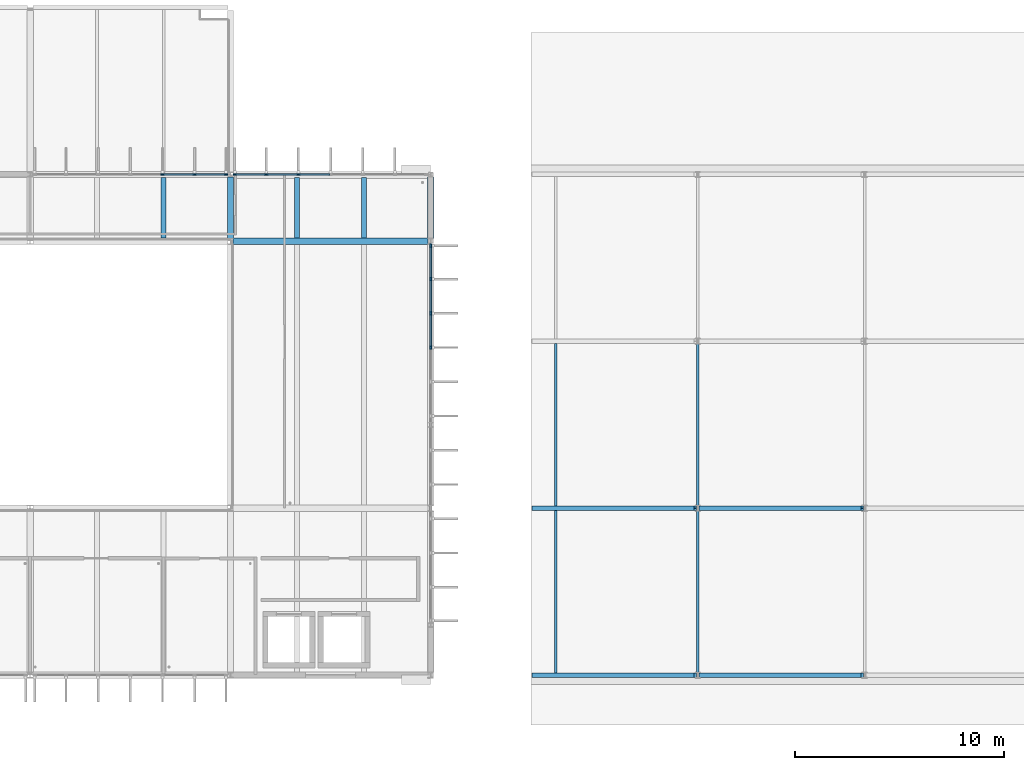
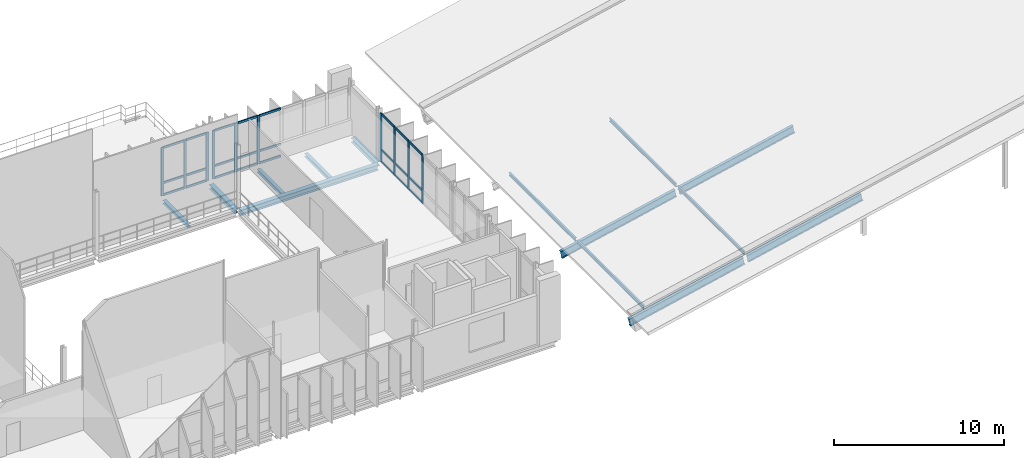
# One storey, part 16 of 41: 42 members, 6 beams, 3 elements without a shape of their own.
"""IFC4 building model written with IfcOpenShell, lengths in metres."""

from ifc_helpers import new_model, si_unit, direction, frame, origin, origin_2d, place, context, subcontext, project, spatial, rectangle, i_section, extrude, material, material_profile, profile_set, type_object, element, aggregate, save


model = new_model("IFC4")

# Units and contexts
model_context = context("Model", 3, precision=1e-05, world=origin(), true_north=direction((0.0, 1.0)))
body_context = subcontext(model_context, "Body", "Model", "MODEL_VIEW")
ifc_project = project(units=[si_unit("LENGTHUNIT", "METRE"), si_unit("AREAUNIT", "SQUARE_METRE"), si_unit("VOLUMEUNIT", "CUBIC_METRE"), si_unit("PLANEANGLEUNIT", "RADIAN"), si_unit("MASSUNIT", "GRAM", prefix="KILO")], contexts=[model_context])

# Site, building, storey
site_placement = place(None, origin())
site = spatial("IfcSite", under=ifc_project, at=site_placement, CompositionType="ELEMENT")
building_placement = place(site_placement, origin())
building = spatial("IfcBuilding", under=site, at=building_placement, Name="Dunescarp Central Library", CompositionType="ELEMENT")
storey_placement = place(building_placement, frame((0.0, 0.0, 23.10009765625)))
storey = spatial("IfcBuildingStorey", under=building, at=storey_placement, Name="L05", CompositionType="ELEMENT", Elevation=23.10009765625)

# Curtain wall, members
ifc_material_1 = material(Name="Marine-grade anodised aluminium 6063-T6", Category="aluminium")
curtain_wall_type = type_object("IfcCurtainWallType", Name="ARC-CW-STICK", PredefinedType="NOTDEFINED", material=ifc_material_1)
curtain_wall_1_placement = place(storey_placement, origin())
curtain_wall_1 = element("IfcCurtainWall", 1, at=curtain_wall_1_placement, inside=storey, type_object=curtain_wall_type, Name="L05 curtain wall CW-V2-078", PredefinedType="NOTDEFINED")
ifc_material_profile_1 = material_profile(ifc_material_1, rectangle(XDim=0.080078125, YDim=0.179931640625, at=origin_2d()), Name="AL 80x180")
ifc_profile_set_1 = profile_set([ifc_material_profile_1], Name="Marine-grade anodised aluminium 6063-T6")
member_type_1 = type_object("IfcMemberType", Name="ARC-CWM-180", PredefinedType="MULLION", material=ifc_profile_set_1)
member_1_placement = place(storey_placement, frame((63.941650390625, 28.800048828125, 0.0), z_axis=(0.0, 0.0, 1.0), x_axis=(0.0, 1.0, 0.0)))
member_1 = element("IfcMember", 2, at=member_1_placement, type_object=member_type_1, Name="CW-V2-078 mullion 5", PredefinedType="MULLION", context=body_context, shape_type="SweptSolid", body=[
    extrude(rectangle(XDim=0.080078125, YDim=0.179931640625, at=origin_2d()), origin(), (0.0, 0.0, 1.0), 3.4658203125),
])
member_2_placement = place(storey_placement, frame((65.4833984375, 28.800048828125, 0.0), z_axis=(0.0, 0.0, 1.0), x_axis=(0.0, 1.0, 0.0)))
member_2 = element("IfcMember", 3, at=member_2_placement, type_object=member_type_1, Name="CW-V2-078 mullion 6", PredefinedType="MULLION", context=body_context, shape_type="SweptSolid", body=[
    extrude(rectangle(XDim=0.080078125, YDim=0.179931640625, at=origin_2d()), origin(), (0.0, 0.0, 1.0), 3.4658203125),
])
member_3_placement = place(storey_placement, frame((66.985107421875, 28.800048828125, 0.0), z_axis=(0.0, 0.0, 1.0), x_axis=(0.0, 1.0, 0.0)))
member_3 = element("IfcMember", 4, at=member_3_placement, type_object=member_type_1, Name="CW-V2-078 mullion 7", PredefinedType="MULLION", context=body_context, shape_type="SweptSolid", body=[
    extrude(rectangle(XDim=0.080078125, YDim=0.179931640625, at=origin_2d()), origin(), (0.0, 0.0, 1.0), 3.4658203125),
])

curtain_wall_2_placement = place(storey_placement, origin())
curtain_wall_2 = element("IfcCurtainWall", 5, at=curtain_wall_2_placement, inside=storey, type_object=curtain_wall_type, Name="L05 curtain wall CW-V2-079", PredefinedType="NOTDEFINED")
member_4_placement = place(storey_placement, frame((67.4150390625, 28.800048828125, 0.0), z_axis=(0.0, 0.0, 1.0), x_axis=(0.0, 1.0, 0.0)))
member_4 = element("IfcMember", 6, at=member_4_placement, type_object=member_type_1, Name="CW-V2-079 mullion 1", PredefinedType="MULLION", context=body_context, shape_type="SweptSolid", body=[
    extrude(rectangle(XDim=0.080078125, YDim=0.179931640625, at=origin_2d()), origin(), (0.0, 0.0, 1.0), 3.4658203125),
])
member_5_placement = place(storey_placement, frame((68.916748046875, 28.800048828125, 0.0), z_axis=(0.0, 0.0, 1.0), x_axis=(0.0, 1.0, 0.0)))
member_5 = element("IfcMember", 7, at=member_5_placement, type_object=member_type_1, Name="CW-V2-079 mullion 2", PredefinedType="MULLION", context=body_context, shape_type="SweptSolid", body=[
    extrude(rectangle(XDim=0.080078125, YDim=0.179931640625, at=origin_2d()), origin(), (0.0, 0.0, 1.0), 3.4658203125),
])
member_6_placement = place(storey_placement, frame((70.458251953125, 28.800048828125, 0.0), z_axis=(0.0, 0.0, 1.0), x_axis=(0.0, 1.0, 0.0)))
member_6 = element("IfcMember", 8, at=member_6_placement, type_object=member_type_1, Name="CW-V2-079 mullion 3", PredefinedType="MULLION", context=body_context, shape_type="SweptSolid", body=[
    extrude(rectangle(XDim=0.080078125, YDim=0.179931640625, at=origin_2d()), origin(), (0.0, 0.0, 1.0), 3.4658203125),
])

curtain_wall_3_placement = place(storey_placement, origin())
curtain_wall_3 = element("IfcCurtainWall", 9, at=curtain_wall_3_placement, inside=storey, type_object=curtain_wall_type, Name="L05 curtain wall CW-V2-080", PredefinedType="NOTDEFINED")
member_7_placement = place(storey_placement, frame((76.800048828125, 25.385009765625, 0.0), z_axis=(0.0, 0.0, 1.0), x_axis=(1.0, 0.0, 0.0)))
member_7 = element("IfcMember", 10, at=member_7_placement, type_object=member_type_1, Name="CW-V2-080 mullion 1", PredefinedType="MULLION", context=body_context, shape_type="SweptSolid", body=[
    extrude(rectangle(XDim=0.080078125, YDim=0.179931640625, at=origin_2d()), origin(), (0.0, 0.0, 1.0), 3.472900390625),
])
member_8_placement = place(storey_placement, frame((76.800048828125, 23.7841796875, 0.0), z_axis=(0.0, 0.0, 1.0), x_axis=(1.0, 0.0, 0.0)))
member_8 = element("IfcMember", 11, at=member_8_placement, type_object=member_type_1, Name="CW-V2-080 mullion 2", PredefinedType="MULLION", context=body_context, shape_type="SweptSolid", body=[
    extrude(rectangle(XDim=0.080078125, YDim=0.179931640625, at=origin_2d()), origin(), (0.0, 0.0, 1.0), 3.472900390625),
])
member_9_placement = place(storey_placement, frame((76.800048828125, 22.14306640625, 0.0), z_axis=(0.0, 0.0, 1.0), x_axis=(1.0, 0.0, 0.0)))
member_9 = element("IfcMember", 12, at=member_9_placement, type_object=member_type_1, Name="CW-V2-080 mullion 3", PredefinedType="MULLION", context=body_context, shape_type="SweptSolid", body=[
    extrude(rectangle(XDim=0.080078125, YDim=0.179931640625, at=origin_2d()), origin(), (0.0, 0.0, 1.0), 3.472900390625),
])
member_10_placement = place(storey_placement, frame((76.800048828125, 20.502197265625, 0.0), z_axis=(0.0, 0.0, 1.0), x_axis=(1.0, 0.0, 0.0)))
member_10 = element("IfcMember", 13, at=member_10_placement, type_object=member_type_1, Name="CW-V2-080 mullion 4", PredefinedType="MULLION", context=body_context, shape_type="SweptSolid", body=[
    extrude(rectangle(XDim=0.080078125, YDim=0.179931640625, at=origin_2d()), origin(), (0.0, 0.0, 1.0), 3.472900390625),
])

# Member
ifc_material_profile_2 = material_profile(ifc_material_1, rectangle(XDim=0.080078125, YDim=0.14990234375, at=origin_2d()), Name="AL 80x150")
ifc_profile_set_2 = profile_set([ifc_material_profile_2], Name="Marine-grade anodised aluminium 6063-T6")
member_type_2 = type_object("IfcMemberType", Name="ARC-CWT-150", PredefinedType="USERDEFINED", material=ifc_profile_set_2)
member_11_placement = place(storey_placement, frame((63.981689453125, 28.800048828125, 0.039794921875), z_axis=(1.0, 0.0, 0.0), x_axis=(0.0, 1.0, 0.0)))
member_11 = element("IfcMember", 14, at=member_11_placement, type_object=member_type_2, Name="CW-V2-078 transom 5.1", ObjectType="TRANSOM", PredefinedType="USERDEFINED", context=body_context, shape_type="SweptSolid", body=[
    extrude(rectangle(XDim=0.080078125, YDim=0.14990234375, at=origin_2d()), origin(), (0.0, 0.0, 1.0), 1.461669921875),
])

member_12_placement = place(storey_placement, frame((63.981689453125, 28.800048828125, 0.89990234375), z_axis=(1.0, 0.0, 0.0), x_axis=(0.0, 1.0, 0.0)))
member_12 = element("IfcMember", 15, at=member_12_placement, type_object=member_type_2, Name="CW-V2-078 transom 5.2", ObjectType="TRANSOM", PredefinedType="USERDEFINED", context=body_context, shape_type="SweptSolid", body=[
    extrude(rectangle(XDim=0.080078125, YDim=0.14990234375, at=origin_2d()), origin(), (0.0, 0.0, 1.0), 1.461669921875),
])

member_13_placement = place(storey_placement, frame((63.981689453125, 28.800048828125, 3.42578125), z_axis=(1.0, 0.0, 0.0), x_axis=(0.0, 1.0, 0.0)))
member_13 = element("IfcMember", 16, at=member_13_placement, type_object=member_type_2, Name="CW-V2-078 transom 5.3", ObjectType="TRANSOM", PredefinedType="USERDEFINED", context=body_context, shape_type="SweptSolid", body=[
    extrude(rectangle(XDim=0.080078125, YDim=0.14990234375, at=origin_2d()), origin(), (0.0, 0.0, 1.0), 1.461669921875),
])

member_14_placement = place(storey_placement, frame((65.5234375, 28.800048828125, 0.039794921875), z_axis=(1.0, 0.0, 0.0), x_axis=(0.0, 1.0, 0.0)))
member_14 = element("IfcMember", 17, at=member_14_placement, type_object=member_type_2, Name="CW-V2-078 transom 6.1", ObjectType="TRANSOM", PredefinedType="USERDEFINED", context=body_context, shape_type="SweptSolid", body=[
    extrude(rectangle(XDim=0.080078125, YDim=0.14990234375, at=origin_2d()), origin(), (0.0, 0.0, 1.0), 1.421630859375),
])

member_15_placement = place(storey_placement, frame((65.5234375, 28.800048828125, 0.89990234375), z_axis=(1.0, 0.0, 0.0), x_axis=(0.0, 1.0, 0.0)))
member_15 = element("IfcMember", 18, at=member_15_placement, type_object=member_type_2, Name="CW-V2-078 transom 6.2", ObjectType="TRANSOM", PredefinedType="USERDEFINED", context=body_context, shape_type="SweptSolid", body=[
    extrude(rectangle(XDim=0.080078125, YDim=0.14990234375, at=origin_2d()), origin(), (0.0, 0.0, 1.0), 1.421630859375),
])

member_16_placement = place(storey_placement, frame((65.5234375, 28.800048828125, 3.42578125), z_axis=(1.0, 0.0, 0.0), x_axis=(0.0, 1.0, 0.0)))
member_16 = element("IfcMember", 19, at=member_16_placement, type_object=member_type_2, Name="CW-V2-078 transom 6.3", ObjectType="TRANSOM", PredefinedType="USERDEFINED", context=body_context, shape_type="SweptSolid", body=[
    extrude(rectangle(XDim=0.080078125, YDim=0.14990234375, at=origin_2d()), origin(), (0.0, 0.0, 1.0), 1.421630859375),
])

aggregate(curtain_wall_1, [member_1, member_2, member_3, member_11, member_12, member_13, member_14, member_15, member_16])

member_17_placement = place(storey_placement, frame((67.455078125, 28.800048828125, 0.039794921875), z_axis=(1.0, 0.0, 0.0), x_axis=(0.0, 1.0, 0.0)))
member_17 = element("IfcMember", 20, at=member_17_placement, type_object=member_type_2, Name="CW-V2-079 transom 1.1", ObjectType="TRANSOM", PredefinedType="USERDEFINED", context=body_context, shape_type="SweptSolid", body=[
    extrude(rectangle(XDim=0.080078125, YDim=0.14990234375, at=origin_2d()), origin(), (0.0, 0.0, 1.0), 1.421630859375),
])

member_18_placement = place(storey_placement, frame((67.455078125, 28.800048828125, 0.89990234375), z_axis=(1.0, 0.0, 0.0), x_axis=(0.0, 1.0, 0.0)))
member_18 = element("IfcMember", 21, at=member_18_placement, type_object=member_type_2, Name="CW-V2-079 transom 1.2", ObjectType="TRANSOM", PredefinedType="USERDEFINED", context=body_context, shape_type="SweptSolid", body=[
    extrude(rectangle(XDim=0.080078125, YDim=0.14990234375, at=origin_2d()), origin(), (0.0, 0.0, 1.0), 1.421630859375),
])

member_19_placement = place(storey_placement, frame((67.455078125, 28.800048828125, 3.42578125), z_axis=(1.0, 0.0, 0.0), x_axis=(0.0, 1.0, 0.0)))
member_19 = element("IfcMember", 22, at=member_19_placement, type_object=member_type_2, Name="CW-V2-079 transom 1.3", ObjectType="TRANSOM", PredefinedType="USERDEFINED", context=body_context, shape_type="SweptSolid", body=[
    extrude(rectangle(XDim=0.080078125, YDim=0.14990234375, at=origin_2d()), origin(), (0.0, 0.0, 1.0), 1.421630859375),
])

member_20_placement = place(storey_placement, frame((68.956787109375, 28.800048828125, 0.039794921875), z_axis=(1.0, 0.0, 0.0), x_axis=(0.0, 1.0, 0.0)))
member_20 = element("IfcMember", 23, at=member_20_placement, type_object=member_type_2, Name="CW-V2-079 transom 2.1", ObjectType="TRANSOM", PredefinedType="USERDEFINED", context=body_context, shape_type="SweptSolid", body=[
    extrude(rectangle(XDim=0.080078125, YDim=0.14990234375, at=origin_2d()), origin(), (0.0, 0.0, 1.0), 1.46142578125),
])

member_21_placement = place(storey_placement, frame((68.956787109375, 28.800048828125, 0.89990234375), z_axis=(1.0, 0.0, 0.0), x_axis=(0.0, 1.0, 0.0)))
member_21 = element("IfcMember", 24, at=member_21_placement, type_object=member_type_2, Name="CW-V2-079 transom 2.2", ObjectType="TRANSOM", PredefinedType="USERDEFINED", context=body_context, shape_type="SweptSolid", body=[
    extrude(rectangle(XDim=0.080078125, YDim=0.14990234375, at=origin_2d()), origin(), (0.0, 0.0, 1.0), 1.46142578125),
])

member_22_placement = place(storey_placement, frame((68.956787109375, 28.800048828125, 3.42578125), z_axis=(1.0, 0.0, 0.0), x_axis=(0.0, 1.0, 0.0)))
member_22 = element("IfcMember", 25, at=member_22_placement, type_object=member_type_2, Name="CW-V2-079 transom 2.3", ObjectType="TRANSOM", PredefinedType="USERDEFINED", context=body_context, shape_type="SweptSolid", body=[
    extrude(rectangle(XDim=0.080078125, YDim=0.14990234375, at=origin_2d()), origin(), (0.0, 0.0, 1.0), 1.46142578125),
])

member_23_placement = place(storey_placement, frame((70.498291015625, 28.800048828125, 0.039794921875), z_axis=(1.0, 0.0, 0.0), x_axis=(0.0, 1.0, 0.0)))
member_23 = element("IfcMember", 26, at=member_23_placement, type_object=member_type_2, Name="CW-V2-079 transom 3.1", ObjectType="TRANSOM", PredefinedType="USERDEFINED", context=body_context, shape_type="SweptSolid", body=[
    extrude(rectangle(XDim=0.080078125, YDim=0.14990234375, at=origin_2d()), origin(), (0.0, 0.0, 1.0), 1.461669921875),
])

member_24_placement = place(storey_placement, frame((70.498291015625, 28.800048828125, 0.89990234375), z_axis=(1.0, 0.0, 0.0), x_axis=(0.0, 1.0, 0.0)))
member_24 = element("IfcMember", 27, at=member_24_placement, type_object=member_type_2, Name="CW-V2-079 transom 3.2", ObjectType="TRANSOM", PredefinedType="USERDEFINED", context=body_context, shape_type="SweptSolid", body=[
    extrude(rectangle(XDim=0.080078125, YDim=0.14990234375, at=origin_2d()), origin(), (0.0, 0.0, 1.0), 1.461669921875),
])

member_25_placement = place(storey_placement, frame((70.498291015625, 28.800048828125, 3.42578125), z_axis=(1.0, 0.0, 0.0), x_axis=(0.0, 1.0, 0.0)))
member_25 = element("IfcMember", 28, at=member_25_placement, type_object=member_type_2, Name="CW-V2-079 transom 3.3", ObjectType="TRANSOM", PredefinedType="USERDEFINED", context=body_context, shape_type="SweptSolid", body=[
    extrude(rectangle(XDim=0.080078125, YDim=0.14990234375, at=origin_2d()), origin(), (0.0, 0.0, 1.0), 1.461669921875),
])

aggregate(curtain_wall_2, [member_4, member_5, member_6, member_17, member_18, member_19, member_20, member_21, member_22, member_23, member_24, member_25])

member_26_placement = place(storey_placement, frame((76.800048828125, 25.344970703125, 0.039794921875), z_axis=(0.0, -1.0, 0.0), x_axis=(1.0, 0.0, 0.0)))
member_26 = element("IfcMember", 29, at=member_26_placement, type_object=member_type_2, Name="CW-V2-080 transom 1.1", ObjectType="TRANSOM", PredefinedType="USERDEFINED", context=body_context, shape_type="SweptSolid", body=[
    extrude(rectangle(XDim=0.080078125, YDim=0.14990234375, at=origin_2d()), origin(), (0.0, 0.0, 1.0), 1.52099609375),
])

member_27_placement = place(storey_placement, frame((76.800048828125, 25.344970703125, 0.89990234375), z_axis=(0.0, -1.0, 0.0), x_axis=(1.0, 0.0, 0.0)))
member_27 = element("IfcMember", 30, at=member_27_placement, type_object=member_type_2, Name="CW-V2-080 transom 1.2", ObjectType="TRANSOM", PredefinedType="USERDEFINED", context=body_context, shape_type="SweptSolid", body=[
    extrude(rectangle(XDim=0.080078125, YDim=0.14990234375, at=origin_2d()), origin(), (0.0, 0.0, 1.0), 1.52099609375),
])

member_28_placement = place(storey_placement, frame((76.800048828125, 25.344970703125, 3.432861328125), z_axis=(0.0, -1.0, 0.0), x_axis=(1.0, 0.0, 0.0)))
member_28 = element("IfcMember", 31, at=member_28_placement, type_object=member_type_2, Name="CW-V2-080 transom 1.3", ObjectType="TRANSOM", PredefinedType="USERDEFINED", context=body_context, shape_type="SweptSolid", body=[
    extrude(rectangle(XDim=0.080078125, YDim=0.14990234375, at=origin_2d()), origin(), (0.0, 0.0, 1.0), 1.52099609375),
])

member_29_placement = place(storey_placement, frame((76.800048828125, 23.744140625, 0.039794921875), z_axis=(0.0, -1.0, 0.0), x_axis=(1.0, 0.0, 0.0)))
member_29 = element("IfcMember", 32, at=member_29_placement, type_object=member_type_2, Name="CW-V2-080 transom 2.1", ObjectType="TRANSOM", PredefinedType="USERDEFINED", context=body_context, shape_type="SweptSolid", body=[
    extrude(rectangle(XDim=0.080078125, YDim=0.14990234375, at=origin_2d()), origin(), (0.0, 0.0, 1.0), 1.56103515625),
])

member_30_placement = place(storey_placement, frame((76.800048828125, 23.744140625, 0.89990234375), z_axis=(0.0, -1.0, 0.0), x_axis=(1.0, 0.0, 0.0)))
member_30 = element("IfcMember", 33, at=member_30_placement, type_object=member_type_2, Name="CW-V2-080 transom 2.2", ObjectType="TRANSOM", PredefinedType="USERDEFINED", context=body_context, shape_type="SweptSolid", body=[
    extrude(rectangle(XDim=0.080078125, YDim=0.14990234375, at=origin_2d()), origin(), (0.0, 0.0, 1.0), 1.56103515625),
])

member_31_placement = place(storey_placement, frame((76.800048828125, 23.744140625, 3.432861328125), z_axis=(0.0, -1.0, 0.0), x_axis=(1.0, 0.0, 0.0)))
member_31 = element("IfcMember", 34, at=member_31_placement, type_object=member_type_2, Name="CW-V2-080 transom 2.3", ObjectType="TRANSOM", PredefinedType="USERDEFINED", context=body_context, shape_type="SweptSolid", body=[
    extrude(rectangle(XDim=0.080078125, YDim=0.14990234375, at=origin_2d()), origin(), (0.0, 0.0, 1.0), 1.56103515625),
])

member_32_placement = place(storey_placement, frame((76.800048828125, 22.103271484375, 0.039794921875), z_axis=(0.0, -1.0, 0.0), x_axis=(1.0, 0.0, 0.0)))
member_32 = element("IfcMember", 35, at=member_32_placement, type_object=member_type_2, Name="CW-V2-080 transom 3.1", ObjectType="TRANSOM", PredefinedType="USERDEFINED", context=body_context, shape_type="SweptSolid", body=[
    extrude(rectangle(XDim=0.080078125, YDim=0.14990234375, at=origin_2d()), origin(), (0.0, 0.0, 1.0), 1.56103515625),
])

member_33_placement = place(storey_placement, frame((76.800048828125, 22.103271484375, 0.89990234375), z_axis=(0.0, -1.0, 0.0), x_axis=(1.0, 0.0, 0.0)))
member_33 = element("IfcMember", 36, at=member_33_placement, type_object=member_type_2, Name="CW-V2-080 transom 3.2", ObjectType="TRANSOM", PredefinedType="USERDEFINED", context=body_context, shape_type="SweptSolid", body=[
    extrude(rectangle(XDim=0.080078125, YDim=0.14990234375, at=origin_2d()), origin(), (0.0, 0.0, 1.0), 1.56103515625),
])

member_34_placement = place(storey_placement, frame((76.800048828125, 22.103271484375, 3.432861328125), z_axis=(0.0, -1.0, 0.0), x_axis=(1.0, 0.0, 0.0)))
member_34 = element("IfcMember", 37, at=member_34_placement, type_object=member_type_2, Name="CW-V2-080 transom 3.3", ObjectType="TRANSOM", PredefinedType="USERDEFINED", context=body_context, shape_type="SweptSolid", body=[
    extrude(rectangle(XDim=0.080078125, YDim=0.14990234375, at=origin_2d()), origin(), (0.0, 0.0, 1.0), 1.56103515625),
])

aggregate(curtain_wall_3, [member_7, member_8, member_9, member_10, member_26, member_27, member_28, member_29, member_30, member_31, member_32, member_33, member_34])

# Beams
ifc_material_2 = material(Name="Steel S355JR", Category="steel")
ifc_material_profile_3 = material_profile(ifc_material_2, i_section(OverallWidth=0.300048828125, OverallDepth=0.330078125, WebThickness=0.009521484375, FlangeThickness=0.0166015625, at=origin_2d()), Name="HEA 340")
ifc_profile_set_3 = profile_set([ifc_material_profile_3], Name="Steel S355JR")
beam_type_1 = type_object("IfcBeamType", Name="STR-BM-HEA340", PredefinedType="BEAM", material=ifc_profile_set_3)
for number, where, z_axis, x_axis, name in (
    (38, (67.199951171875, 25.735107421875, -0.385009765625), (0.0, 1.0, 0.0), (-1.0, 0.0, 0.0), "L05 girder BM-L05-0639"),
    (39, (76.800048828125, 25.735107421875, -0.385009765625), (0.0, 1.0, 0.0), (-1.0, 0.0, 0.0), "L05 girder BM-L05-0652"),
):
    element("IfcBeam", number, at=place(storey_placement, frame(where, z_axis=z_axis, x_axis=x_axis)), inside=storey, type_object=beam_type_1, Name=name, PredefinedType="BEAM", context=body_context, shape_type="SweptSolid", body=[
        extrude(i_section(OverallWidth=0.300048828125, OverallDepth=0.330078125, WebThickness=0.009521484375, FlangeThickness=0.0166015625, at=origin_2d()), origin(), (0.0, 0.0, 1.0), 2.93798828125),
    ])
ifc_material_profile_4 = material_profile(ifc_material_2, i_section(OverallWidth=0.300048828125, OverallDepth=0.39990234375, WebThickness=0.013427734375, FlangeThickness=0.02392578125, at=origin_2d()), Name="HEB 400")
ifc_profile_set_4 = profile_set([ifc_material_profile_4], Name="Steel S355JR")
beam_type_2 = type_object("IfcBeamType", Name="STR-BM-HEB400", PredefinedType="BEAM", material=ifc_profile_set_4)
beam_placement = place(storey_placement, frame((67.327880859375, 25.60009765625, -0.420166015625), z_axis=(1.0, 0.0, 0.0), x_axis=(0.0, 1.0, 0.0)))
element("IfcBeam", 40, at=beam_placement, inside=storey, type_object=beam_type_2, Name="L05 girder BM-L05-0647", PredefinedType="BEAM", context=body_context, shape_type="SweptSolid", body=[
    extrude(i_section(OverallWidth=0.300048828125, OverallDepth=0.39990234375, WebThickness=0.013427734375, FlangeThickness=0.02392578125, at=origin_2d()), origin(), (0.0, 0.0, 1.0), 9.34423828125),
])
ifc_material_profile_5 = material_profile(ifc_material_2, i_section(OverallWidth=0.239990234375, OverallDepth=0.22998046875, WebThickness=0.007568359375, FlangeThickness=0.011962890625, at=origin_2d()), Name="HEA 240")
ifc_profile_set_5 = profile_set([ifc_material_profile_5], Name="Steel S355JR")
beam_type_3 = type_object("IfcBeamType", Name="STR-JS-HEA240", PredefinedType="JOIST", material=ifc_profile_set_5)
for number, where, z_axis, x_axis, name in (
    (41, (64.0, 25.748046875, -0.335205078125), (0.0, 1.0, 0.0), (-1.0, 0.0, 0.0), "L05 joist JS-L05-0641"),
    (42, (70.39990234375, 25.748046875, -0.335205078125), (0.0, 1.0, 0.0), (-1.0, 0.0, 0.0), "L05 joist JS-L05-0653"),
    (43, (73.60009765625, 25.748046875, -0.335205078125), (0.0, 1.0, 0.0), (-1.0, 0.0, 0.0), "L05 joist JS-L05-0654"),
):
    element("IfcBeam", number, at=place(storey_placement, frame(where, z_axis=z_axis, x_axis=x_axis)), inside=storey, type_object=beam_type_3, Name=name, PredefinedType="JOIST", context=body_context, shape_type="SweptSolid", body=[
        extrude(i_section(OverallWidth=0.239990234375, OverallDepth=0.22998046875, WebThickness=0.007568359375, FlangeThickness=0.011962890625, at=origin_2d()), origin(), (0.0, 0.0, 1.0), 2.904052734375),
    ])

# Members
ifc_material_profile_6 = material_profile(ifc_material_2, i_section(OverallWidth=0.1201171875, OverallDepth=0.239990234375, WebThickness=0.006103515625, FlangeThickness=0.009765625, at=origin_2d()), Name="IPE 240")
ifc_profile_set_6 = profile_set([ifc_material_profile_6], Name="Steel S355JR")
member_type_3 = type_object("IfcMemberType", Name="STR-PR-IPE240", PredefinedType="PURLIN", material=ifc_profile_set_6)
for number, where, z_axis, x_axis, name in (
    (44, (82.800048828125, 4.902099609375, -0.113037109375), (0.0, 1.0, 0.0), (-1.0, 0.0, 0.0), "V3 roof purlin PR-V3-016"),
    (45, (82.800048828125, 12.902099609375, -0.113037109375), (0.0, 1.0, 0.0), (-1.0, 0.0, 0.0), "V3 roof purlin PR-V3-017"),
    (46, (89.60009765625, 4.902099609375, 1.39794921875), (0.0, 1.0, 0.0), (-1.0, 0.0, 0.0), "V3 roof purlin PR-V3-019"),
    (47, (89.60009765625, 12.902099609375, 1.39794921875), (0.0, 1.0, 0.0), (-1.0, 0.0, 0.0), "V3 roof purlin PR-V3-020"),
):
    element("IfcMember", number, at=place(storey_placement, frame(where, z_axis=z_axis, x_axis=x_axis)), inside=storey, type_object=member_type_3, Name=name, PredefinedType="PURLIN", context=body_context, shape_type="SweptSolid", body=[
        extrude(i_section(OverallWidth=0.1201171875, OverallDepth=0.239990234375, WebThickness=0.006103515625, FlangeThickness=0.009765625, at=origin_2d()), origin(), (0.0, 0.0, 1.0), 7.7958984375),
    ])
ifc_material_profile_7 = material_profile(ifc_material_2, i_section(OverallWidth=0.209228515625, OverallDepth=0.533203125, WebThickness=0.010009765625, FlangeThickness=0.015625, at=origin_2d()), Name="UB 533x210x92")
ifc_profile_set_7 = profile_set([ifc_material_profile_7], Name="Steel S355JR")
member_type_4 = type_object("IfcMemberType", Name="STR-RF-UB533", PredefinedType="RAFTER", material=ifc_profile_set_7)
member_35_placement = place(storey_placement, frame((81.716064453125, 4.800048828125, -0.737060546875), z_axis=(0.976163953978, 0.0, 0.217034409606), x_axis=(0.0, 1.0, 0.0)))
element("IfcMember", 48, at=member_35_placement, inside=storey, type_object=member_type_4, Name="V3 raked roof rafter RFT-V3-017", PredefinedType="RAFTER", context=body_context, shape_type="SweptSolid", body=[
    extrude(i_section(OverallWidth=0.209228515625, OverallDepth=0.533203125, WebThickness=0.010009765625, FlangeThickness=0.015625, at=origin_2d()), origin(), (0.0, 0.0, 1.0), 7.95751953125),
])
member_36_placement = place(storey_placement, frame((89.716064453125, 4.800048828125, 1.041015625), z_axis=(0.97619644423, 0.0, 0.216888225297), x_axis=(0.0, 1.0, 0.0)))
element("IfcMember", 49, at=member_36_placement, inside=storey, type_object=member_type_4, Name="V3 raked roof rafter RFT-V3-018", PredefinedType="RAFTER", context=body_context, shape_type="SweptSolid", body=[
    extrude(i_section(OverallWidth=0.209228515625, OverallDepth=0.533203125, WebThickness=0.010009765625, FlangeThickness=0.015625, at=origin_2d()), origin(), (0.0, 0.0, 1.0), 7.957275390625),
])
member_37_placement = place(storey_placement, frame((81.716064453125, 12.800048828125, -0.737060546875), z_axis=(0.976163953978, 0.0, 0.217034409606), x_axis=(0.0, 1.0, 0.0)))
element("IfcMember", 50, at=member_37_placement, inside=storey, type_object=member_type_4, Name="V3 raked roof rafter RFT-V3-022", PredefinedType="RAFTER", context=body_context, shape_type="SweptSolid", body=[
    extrude(i_section(OverallWidth=0.209228515625, OverallDepth=0.533203125, WebThickness=0.010009765625, FlangeThickness=0.015625, at=origin_2d()), origin(), (0.0, 0.0, 1.0), 7.95751953125),
])
member_38_placement = place(storey_placement, frame((89.716064453125, 12.800048828125, 1.041015625), z_axis=(0.97619644423, 0.0, 0.216888225297), x_axis=(0.0, 1.0, 0.0)))
element("IfcMember", 51, at=member_38_placement, inside=storey, type_object=member_type_4, Name="V3 raked roof rafter RFT-V3-023", PredefinedType="RAFTER", context=body_context, shape_type="SweptSolid", body=[
    extrude(i_section(OverallWidth=0.209228515625, OverallDepth=0.533203125, WebThickness=0.010009765625, FlangeThickness=0.015625, at=origin_2d()), origin(), (0.0, 0.0, 1.0), 7.957275390625),
])

save(model, "model.ifc")
